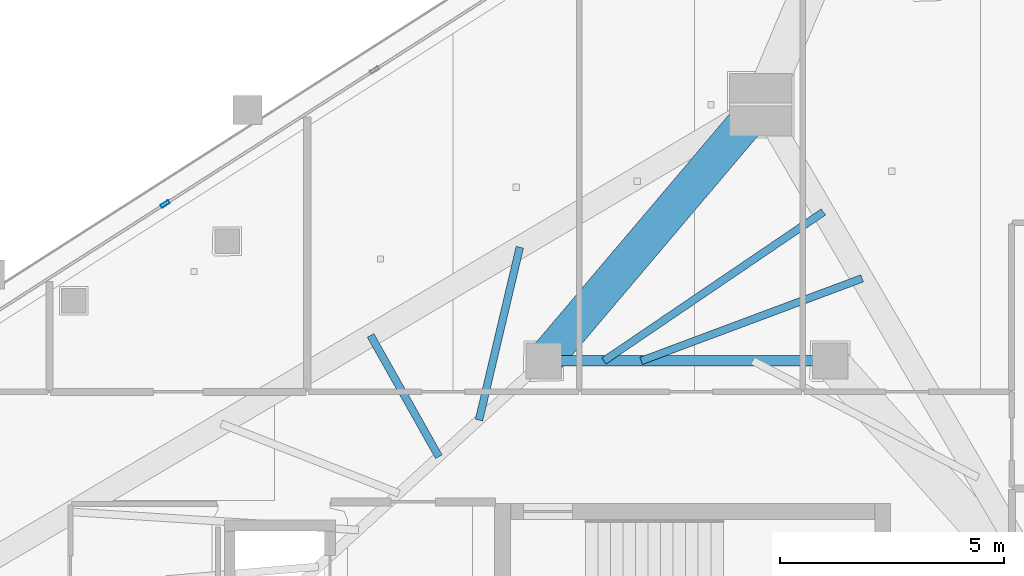
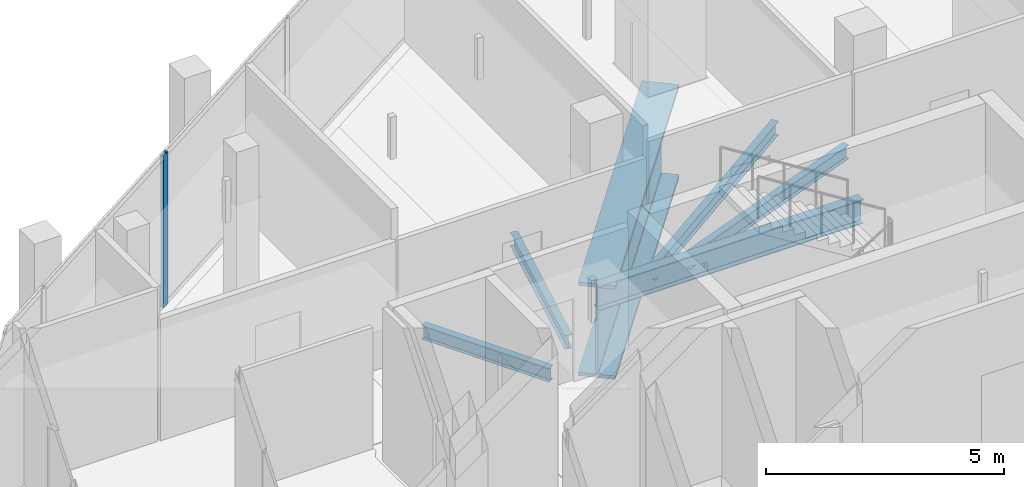
# One storey, part 14 of 29: 6 beams, 1 member, 1 element without a shape of its own.
"""IFC4 building model written with IfcOpenShell, lengths in metres."""

from ifc_helpers import new_model, si_unit, direction, frame, origin, origin_2d, place, context, subcontext, project, spatial, hollow_rectangle, i_section, extrude, material, layer, layer_set, material_profile, profile_set, type_object, element, aggregate, save


model = new_model("IFC4")

# Units and contexts
model_context = context("Model", 3, precision=1e-05, world=origin(), true_north=direction((0.0, 1.0)))
body_context = subcontext(model_context, "Body", "Model", "MODEL_VIEW")
ifc_project = project(units=[si_unit("LENGTHUNIT", "METRE"), si_unit("AREAUNIT", "SQUARE_METRE"), si_unit("VOLUMEUNIT", "CUBIC_METRE"), si_unit("PLANEANGLEUNIT", "RADIAN"), si_unit("MASSUNIT", "GRAM", prefix="KILO")], contexts=[model_context])

# Site, building, storey
site_placement = place(None, origin())
site = spatial("IfcSite", under=ifc_project, at=site_placement, CompositionType="ELEMENT")
building_placement = place(site_placement, origin())
building = spatial("IfcBuilding", under=site, at=building_placement, Name="Qorvath Tower", CompositionType="ELEMENT")
storey_placement = place(building_placement, frame((0.0, 0.0, 285.0)))
storey = spatial("IfcBuildingStorey", under=building, at=storey_placement, Name="L66", CompositionType="ELEMENT", Elevation=285.0)

# Beams
ifc_material_1 = material(Name="Steel ASTM A992 Grade 50", Category="steel")
ifc_material_profile_1 = material_profile(ifc_material_1, i_section(OverallWidth=0.22998046875, OverallDepth=0.616943359375, WebThickness=0.01318359375, FlangeThickness=0.022216796875, FilletRadius=0.014892578125, at=origin_2d()), Name="W24x94")
ifc_profile_set_1 = profile_set([ifc_material_profile_1], Name="Steel ASTM A992 Grade 50")
beam_type_1 = type_object("IfcBeamType", Name="BM-FG6", PredefinedType="BEAM", material=ifc_profile_set_1)
beam_1_placement = place(storey_placement, frame((-23.60009765625, 11.449951171875, -0.598388671875), z_axis=(1.0, 0.0, 0.0), x_axis=(0.0, 1.0, 0.0)))
element("IfcBeam", 1, at=beam_1_placement, inside=storey, type_object=beam_type_1, Name="Core Ring Girder CC1-CC2 L66", PredefinedType="BEAM", context=body_context, shape_type="SweptSolid", body=[
    extrude(i_section(OverallWidth=0.22998046875, OverallDepth=0.616943359375, WebThickness=0.01318359375, FlangeThickness=0.022216796875, FilletRadius=0.014892578125, at=origin_2d()), origin(), (0.0, 0.0, 1.0), 6.400146484375),
])
ifc_material_2 = material(Name="Steel ASTM A992 Grade 50", Category="steel")
ifc_material_profile_2 = material_profile(ifc_material_2, i_section(OverallWidth=0.1708984375, OverallDepth=0.35107421875, WebThickness=0.0068359375, FlangeThickness=0.009765625, FilletRadius=0.010009765625, at=origin_2d()), Name="W14x30")
ifc_profile_set_2 = profile_set([ifc_material_profile_2], Name="Steel ASTM A992 Grade 50")
beam_type_2 = type_object("IfcBeamType", Name="BM-FJ4", PredefinedType="JOIST", material=ifc_profile_set_2)
beam_2_placement = place(storey_placement, frame((-21.424072265625, 11.449951171875, -0.465576171875), z_axis=(0.936775909139, 0.349929844478, 0.0), x_axis=(-0.349929844478, 0.936775909139, 0.0)))
element("IfcBeam", 2, at=beam_2_placement, inside=storey, type_object=beam_type_2, Name="Composite Floor Joist NE5 L66", PredefinedType="JOIST", context=body_context, shape_type="SweptSolid", body=[
    extrude(i_section(OverallWidth=0.1708984375, OverallDepth=0.35107421875, WebThickness=0.0068359375, FlangeThickness=0.009765625, FilletRadius=0.010009765625, at=origin_2d()), origin(), (0.0, 0.0, 1.0), 5.268798828125),
])
beam_3_placement = place(storey_placement, frame((-22.256103515625, 11.449951171875, -0.465576171875), z_axis=(0.827400561462, 0.56161224247, 0.0), x_axis=(-0.56161224247, 0.827400561462, 0.0)))
element("IfcBeam", 3, at=beam_3_placement, inside=storey, type_object=beam_type_2, Name="Composite Floor Joist NE6 L66", PredefinedType="JOIST", context=body_context, shape_type="SweptSolid", body=[
    extrude(i_section(OverallWidth=0.1708984375, OverallDepth=0.35107421875, WebThickness=0.0068359375, FlangeThickness=0.009765625, FilletRadius=0.010009765625, at=origin_2d()), origin(), (0.0, 0.0, 1.0), 5.925537109375),
])
beam_4_placement = place(storey_placement, frame((-25.946044921875, 9.30810546875, -0.465576171875), z_axis=(-0.490626385489, 0.871370041866, 0.0), x_axis=(-0.871370041866, -0.490626385489, 0.0)))
element("IfcBeam", 4, at=beam_4_placement, inside=storey, type_object=beam_type_2, Name="Composite Floor Joist NW5 L66", PredefinedType="JOIST", context=body_context, shape_type="SweptSolid", body=[
    extrude(i_section(OverallWidth=0.1708984375, OverallDepth=0.35107421875, WebThickness=0.0068359375, FlangeThickness=0.009765625, FilletRadius=0.010009765625, at=origin_2d()), origin(), (0.0, 0.0, 1.0), 3.110595703125),
])
beam_5_placement = place(storey_placement, frame((-25.049072265625, 10.126953125, -0.465576171875), z_axis=(0.22966321917, 0.973270160726, 0.0), x_axis=(-0.973270160726, 0.22966321917, 0.0)))
element("IfcBeam", 5, at=beam_5_placement, inside=storey, type_object=beam_type_2, Name="Composite Floor Joist NW6 L66", PredefinedType="JOIST", context=body_context, shape_type="SweptSolid", body=[
    extrude(i_section(OverallWidth=0.1708984375, OverallDepth=0.35107421875, WebThickness=0.0068359375, FlangeThickness=0.009765625, FilletRadius=0.010009765625, at=origin_2d()), origin(), (0.0, 0.0, 1.0), 3.969482421875),
])
ifc_material_3 = material(Name="Steel ASTM A572 Grade 50", Category="steel")
ifc_material_profile_3 = material_profile(ifc_material_3, i_section(OverallWidth=0.800048828125, OverallDepth=2.39990234375, WebThickness=0.044921875, FlangeThickness=0.090087890625, FilletRadius=0.02490234375, at=origin_2d()), Name="WTG 2400x800")
ifc_profile_set_3 = profile_set([ifc_material_profile_3], Name="Steel ASTM A572 Grade 50")
beam_type_3 = type_object("IfcBeamType", Name="BM-TG2", PredefinedType="BEAM", material=ifc_profile_set_3)
beam_6_placement = place(storey_placement, frame((-18.75048828125, 17.175537109375, -1.489990234375), z_axis=(-0.646321389876, -0.763065305848, 0.0), x_axis=(0.763065305848, -0.646321389876, 0.0)))
element("IfcBeam", 6, at=beam_6_placement, inside=storey, type_object=beam_type_3, Name="Zone Step Transfer Girder CC1-MC6 L66", PredefinedType="BEAM", context=body_context, shape_type="SweptSolid", body=[
    extrude(i_section(OverallWidth=0.800048828125, OverallDepth=2.39990234375, WebThickness=0.044921875, FlangeThickness=0.090087890625, FilletRadius=0.02490234375, at=origin_2d()), origin(), (0.0, 0.0, 1.0), 7.50341796875),
])

# Curtain wall, member
ifc_material_4 = material(Name="Anodised aluminium and triple low-E glass", Category="aluminium")
ifc_layer = layer(ifc_material_4, 0.179931640625)
ifc_layer_set = layer_set([ifc_layer], Name="CW-SYS-4")
curtain_wall_type = type_object("IfcCurtainWallType", Name="CW-SYS-4", PredefinedType="NOTDEFINED", material=ifc_layer_set)
curtain_wall_placement = place(storey_placement, origin())
curtain_wall = element("IfcCurtainWall", 7, at=curtain_wall_placement, inside=storey, type_object=curtain_wall_type, Name="Curtain Wall CW-4 CW-T-L66-16.1", PredefinedType="NOTDEFINED")
ifc_material_5 = material(Name="Anodised aluminium 6063-T6", Category="aluminium")
ifc_material_profile_4 = material_profile(ifc_material_5, hollow_rectangle(XDim=0.074951171875, YDim=0.199951171875, WallThickness=0.00390625, InnerFilletRadius=0.00390625, OuterFilletRadius=0.008056640625, at=origin_2d()), Name="CWM 200x75")
ifc_profile_set_4 = profile_set([ifc_material_profile_4], Name="Anodised aluminium 6063-T6")
member_type = type_object("IfcMemberType", Name="CWM-200", PredefinedType="MULLION", material=ifc_profile_set_4)
member_placement = place(storey_placement, frame((-32.0634765625, 14.95556640625, 0.0), z_axis=(0.0, 0.0, 1.0), x_axis=(0.538532094557, -0.842604998283, 0.0)))
member = element("IfcMember", 8, at=member_placement, type_object=member_type, Name="CW-4 mullion 4", PredefinedType="MULLION", context=body_context, shape_type="SweptSolid", body=[
    extrude(hollow_rectangle(XDim=0.074951171875, YDim=0.199951171875, WallThickness=0.00390625, InnerFilletRadius=0.00390625, OuterFilletRadius=0.008056640625, at=origin_2d()), origin(), (0.0, 0.0, 1.0), 3.909912109375),
])
aggregate(curtain_wall, [member])

save(model, "model.ifc")
